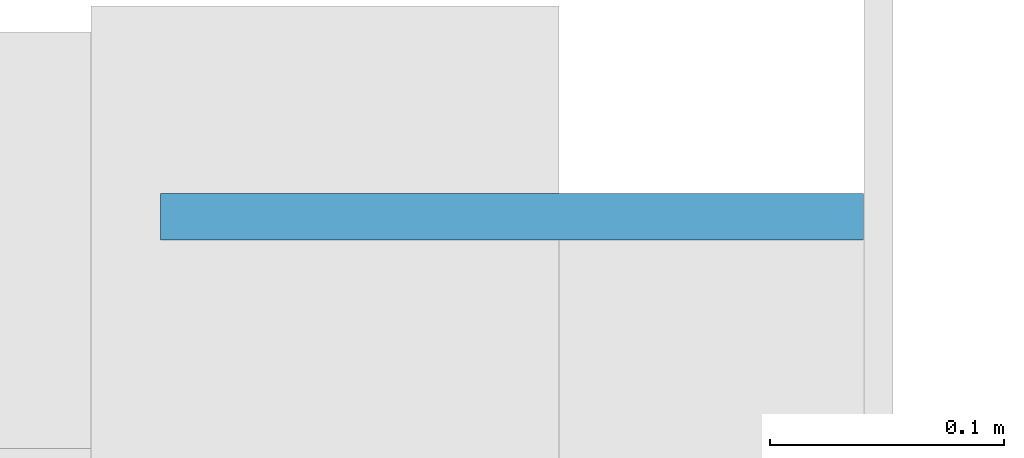
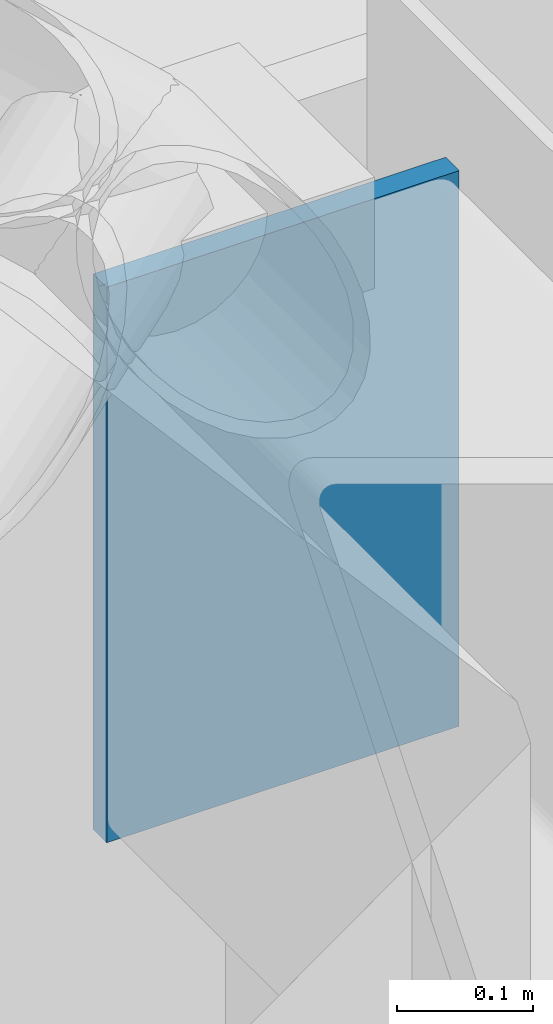
# One storey, part 98 of 141: 1 plate.
"""IFC4 building model written with IfcOpenShell, lengths in metres."""

from ifc_helpers import new_model, si_unit, direction, frame, origin, origin_2d, place, context, subcontext, project, spatial, rectangle, extrude, material, layer, layer_set, type_object, element, save


model = new_model("IFC4")

# Units and contexts
model_context = context("Model", 3, precision=1e-05, world=origin(), true_north=direction((0.0, 1.0)))
body_context = subcontext(model_context, "Body", "Model", "MODEL_VIEW")
ifc_project = project(units=[si_unit("LENGTHUNIT", "METRE"), si_unit("AREAUNIT", "SQUARE_METRE"), si_unit("VOLUMEUNIT", "CUBIC_METRE"), si_unit("PLANEANGLEUNIT", "RADIAN"), si_unit("MASSUNIT", "GRAM", prefix="KILO")], contexts=[model_context])

# Site, building, storey
site_placement = place(None, origin())
site = spatial("IfcSite", under=ifc_project, at=site_placement, CompositionType="ELEMENT")
building_placement = place(site_placement, origin())
building = spatial("IfcBuilding", under=site, at=building_placement, Name="Lantern Court Media Centre", CompositionType="ELEMENT")
storey_placement = place(building_placement, frame((0.0, 0.0, 9.60009765625)))
storey = spatial("IfcBuildingStorey", under=building, at=storey_placement, Name="L02", CompositionType="ELEMENT", Elevation=9.60009765625)

# Plate
ifc_material = material(Name="Steel S355J2 (EN 10025-2)", Category="steel")
ifc_layer = layer(ifc_material, 0.02001953125)
ifc_layer_set = layer_set([ifc_layer], Name="Steel S355J2 (EN 10025-2)")
plate_type = type_object("IfcPlateType", Name="Steel end plate 20", PredefinedType="SHEET", material=ifc_layer_set)
plate_placement = place(storey_placement, frame((32.14990234375, 40.010009765625, 4.199951171875), z_axis=(0.0, 0.0, 1.0), x_axis=(1.0, 0.0, 0.0)))
element("IfcPlate", 1, at=plate_placement, inside=storey, type_object=plate_type, Name="Cinema Hall edge girder end plate east north", PredefinedType="SHEET", context=body_context, shape_type="SweptSolid", body=[
    extrude(rectangle(XDim=0.300048828125, YDim=0.02001953125, at=origin_2d()), origin(), (0.0, 0.0, 1.0), 0.5),
])

save(model, "model.ifc")
